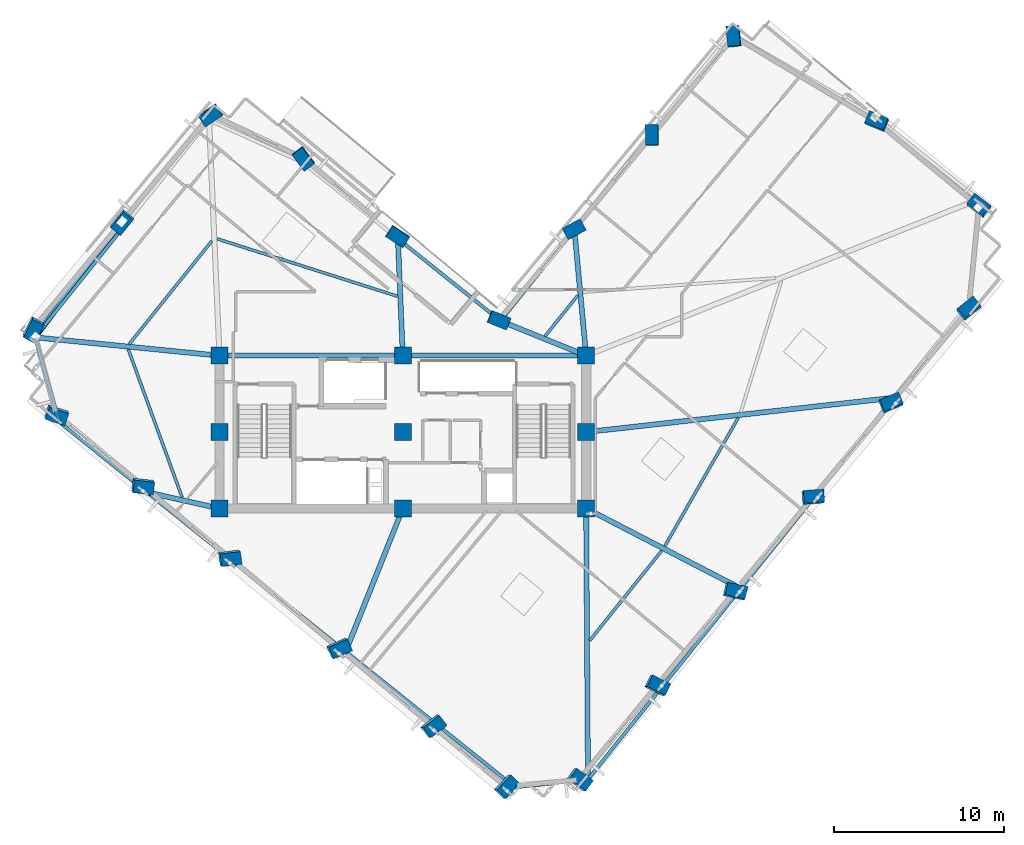
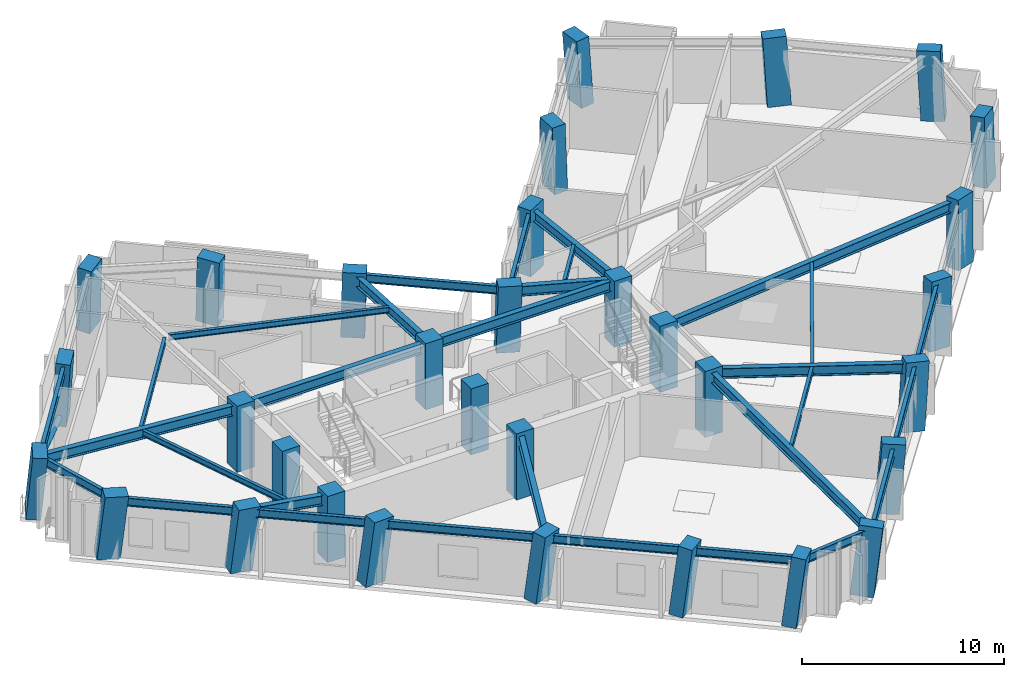
# One storey, part 1 of 10: 32 columns, 30 beams, 1 member.
"""IFC4 building model written with IfcOpenShell, lengths in metres."""

from ifc_helpers import new_model, si_unit, direction, frame, origin, origin_2d, place, context, subcontext, project, spatial, rectangle, hollow_circle, i_section, extrude, material, material_profile, profile_set, type_object, element, save


model = new_model("IFC4")

# Units and contexts
model_context = context("Model", 3, precision=1e-05, world=origin(), true_north=direction((0.0, 1.0)))
body_context = subcontext(model_context, "Body", "Model", "MODEL_VIEW")
ifc_project = project(units=[si_unit("LENGTHUNIT", "METRE"), si_unit("AREAUNIT", "SQUARE_METRE"), si_unit("VOLUMEUNIT", "CUBIC_METRE"), si_unit("PLANEANGLEUNIT", "RADIAN"), si_unit("MASSUNIT", "GRAM", prefix="KILO")], contexts=[model_context])

# Site, building, storey
site_placement = place(None, origin())
site = spatial("IfcSite", under=ifc_project, at=site_placement, CompositionType="ELEMENT")
building_placement = place(site_placement, origin())
building = spatial("IfcBuilding", under=site, at=building_placement, Name="Gaonmaruhae Medical Tower", CompositionType="ELEMENT")
storey_placement = place(building_placement, frame((0.0, 0.0, 239.199951171875)))
storey = spatial("IfcBuildingStorey", under=building, at=storey_placement, Name="L57", CompositionType="ELEMENT", Elevation=239.199951171875)

# Columns
ifc_material_1 = material(Name="Concrete C50/60", Category="concrete")
ifc_material_profile_1 = material_profile(ifc_material_1, rectangle(XDim=1.0, YDim=1.0, at=origin_2d()), Name="RC-1000x1000")
ifc_profile_set_1 = profile_set([ifc_material_profile_1], Name="Concrete C50/60")
column_type_1 = type_object("IfcColumnType", Name="CC-05 Zone 4 Core Column (RC-1000x1000)", PredefinedType="COLUMN", material=ifc_profile_set_1)
for number, where, z_axis, x_axis, name in (
    (1, (14.0, 7.800048828125, 0.0), (0.0, 0.0, 1.0), (1.0, 0.0, 0.0), "L57 Plumb Core Column CC11"),
    (2, (14.0, 12.300048828125, 0.0), (0.0, 0.0, 1.0), (1.0, 0.0, 0.0), "L57 Plumb Core Column CC12"),
    (3, (14.0, 16.800048828125, 0.0), (0.0, 0.0, 1.0), (1.0, 0.0, 0.0), "L57 Plumb Core Column CC13"),
    (4, (24.800048828125, 7.800048828125, 0.0), (0.0, 0.0, 1.0), (1.0, 0.0, 0.0), "L57 Plumb Core Column CC21"),
    (5, (24.800048828125, 12.300048828125, 0.0), (0.0, 0.0, 1.0), (1.0, 0.0, 0.0), "L57 Plumb Core Column CC22"),
    (6, (24.800048828125, 16.800048828125, 0.0), (0.0, 0.0, 1.0), (1.0, 0.0, 0.0), "L57 Plumb Core Column CC23"),
    (7, (35.60009765625, 7.800048828125, 0.0), (0.0, 0.0, 1.0), (1.0, 0.0, 0.0), "L57 Plumb Core Column CC31"),
    (8, (35.60009765625, 12.300048828125, 0.0), (0.0, 0.0, 1.0), (1.0, 0.0, 0.0), "L57 Plumb Core Column CC32"),
    (9, (35.60009765625, 16.800048828125, 0.0), (0.0, 0.0, 1.0), (1.0, 0.0, 0.0), "L57 Plumb Core Column CC33"),
):
    element("IfcColumn", number, at=place(storey_placement, frame(where, z_axis=z_axis, x_axis=x_axis)), inside=storey, type_object=column_type_1, Name=name, PredefinedType="COLUMN", context=body_context, shape_type="SweptSolid", body=[
        extrude(rectangle(XDim=1.0, YDim=1.0, at=origin_2d()), origin(), (0.0, 0.0, 1.0), 4.0),
    ])
ifc_material_profile_2 = material_profile(ifc_material_1, rectangle(XDim=1.199951171875, YDim=0.75, at=origin_2d()), Name="RC-1200x750")
ifc_profile_set_2 = profile_set([ifc_material_profile_2], Name="Concrete C50/60")
column_type_2 = type_object("IfcColumnType", Name="TC-03 Upper Raking Tube Pier Column (RC-1200x750)", PredefinedType="COLUMN", material=ifc_profile_set_2)
column_1_placement = place(storey_placement, frame((35.162353515625, -8.1845703125, 0.001953125), z_axis=(0.135398337875, 0.007565843645, 0.990762357031), x_axis=(-0.797256199338, 0.594542157134, 0.104413485752)))
element("IfcColumn", 10, at=column_1_placement, inside=storey, type_object=column_type_2, Name="L57 Perimeter Tube Column S01", PredefinedType="COLUMN", context=body_context, shape_type="SweptSolid", body=[
    extrude(rectangle(XDim=1.199951171875, YDim=0.75, at=origin_2d()), origin(), (0.0, 0.0, 1.0), 4.03369140625),
])
column_2_placement = place(storey_placement, frame((39.756591796875, -2.640869140625, 0.001953125), z_axis=(0.112744085463, 0.026274590423, 0.993276606536), x_axis=(-0.889646698145, 0.447865881438, 0.089134195033)))
element("IfcColumn", 11, at=column_2_placement, inside=storey, type_object=column_type_2, Name="L57 Perimeter Tube Column S02", PredefinedType="COLUMN", context=body_context, shape_type="SweptSolid", body=[
    extrude(rectangle(XDim=1.199951171875, YDim=0.75, at=origin_2d()), origin(), (0.0, 0.0, 1.0), 4.0234375),
])
column_3_placement = place(storey_placement, frame((44.350830078125, 2.90283203125, 0.001953125), z_axis=(0.08989558283, 0.045099744733, 0.994929543844), x_axis=(-0.970851013933, 0.226829626855, 0.077437904972)))
element("IfcColumn", 12, at=column_3_placement, inside=storey, type_object=column_type_2, Name="L57 Perimeter Tube Column S03", PredefinedType="COLUMN", context=body_context, shape_type="SweptSolid", body=[
    extrude(rectangle(XDim=1.199951171875, YDim=0.75, at=origin_2d()), origin(), (0.0, 0.0, 1.0), 4.0166015625),
])
column_4_placement = place(storey_placement, frame((48.945068359375, 8.446533203125, 0.001953125), z_axis=(0.066972368629, 0.063930934995, 0.995704543221), x_axis=(-0.995148525674, -0.067803912025, 0.071288437797)))
element("IfcColumn", 13, at=column_4_placement, inside=storey, type_object=column_type_2, Name="L57 Perimeter Tube Column S04", PredefinedType="COLUMN", context=body_context, shape_type="SweptSolid", body=[
    extrude(rectangle(XDim=1.199951171875, YDim=0.75, at=origin_2d()), origin(), (0.0, 0.0, 1.0), 4.013671875),
])
column_5_placement = place(storey_placement, frame((53.539306640625, 13.990234375, 0.001953125), z_axis=(0.043914128946, 0.082658311964, 0.995609940058), x_axis=(-0.923162897241, -0.377593091965, 0.072067482668)))
element("IfcColumn", 14, at=column_5_placement, inside=storey, type_object=column_type_2, Name="L57 Perimeter Tube Column S05", PredefinedType="COLUMN", context=body_context, shape_type="SweptSolid", body=[
    extrude(rectangle(XDim=1.199951171875, YDim=0.75, at=origin_2d()), origin(), (0.0, 0.0, 1.0), 4.013916015625),
])
column_6_placement = place(storey_placement, frame((58.133544921875, 19.533935546875, 0.001953125), z_axis=(0.020841764448, 0.101352953642, 0.994632193146), x_axis=(-0.779271158589, -0.621602053987, 0.079670244575)))
element("IfcColumn", 15, at=column_6_placement, inside=storey, type_object=column_type_2, Name="L57 Perimeter Tube Column S06", PredefinedType="COLUMN", context=body_context, shape_type="SweptSolid", body=[
    extrude(rectangle(XDim=1.199951171875, YDim=0.75, at=origin_2d()), origin(), (0.0, 0.0, 1.0), 4.017822265625),
])
column_7_placement = place(storey_placement, frame((58.738037109375, 25.591796875, 0.001953125), z_axis=(-0.00413180517, 0.103598938464, 0.994610571096), x_axis=(0.794636797122, -0.60346946511, 0.066158637682)))
element("IfcColumn", 16, at=column_7_placement, inside=storey, type_object=column_type_2, Name="L57 Perimeter Tube Column E01", PredefinedType="COLUMN", context=body_context, shape_type="SweptSolid", body=[
    extrude(rectangle(XDim=1.199951171875, YDim=0.75, at=origin_2d()), origin(), (0.0, 0.0, 1.0), 4.01806640625),
])
column_8_placement = place(storey_placement, frame((52.732177734375, 30.56884765625, 0.001953125), z_axis=(-0.024474787639, 0.07884291043, 0.996586564351), x_axis=(0.923871255264, -0.379060645823, 0.052677608953)))
element("IfcColumn", 17, at=column_8_placement, inside=storey, type_object=column_type_2, Name="L57 Perimeter Tube Column E02", PredefinedType="COLUMN", context=body_context, shape_type="SweptSolid", body=[
    extrude(rectangle(XDim=1.199951171875, YDim=0.75, at=origin_2d()), origin(), (0.0, 0.0, 1.0), 4.010009765625),
])
column_9_placement = place(storey_placement, frame((44.306396484375, 35.603515625, 0.001953125), z_axis=(-0.045056898125, 0.043898466373, 0.99801943898), x_axis=(0.105104119877, -0.993281009767, 0.048435107314)))
element("IfcColumn", 18, at=column_9_placement, inside=storey, type_object=column_type_2, Name="L57 Perimeter Tube Column E03", PredefinedType="COLUMN", context=body_context, shape_type="SweptSolid", body=[
    extrude(rectangle(XDim=1.199951171875, YDim=0.75, at=origin_2d()), origin(), (0.0, 0.0, 1.0), 4.004150390625),
])
column_10_placement = place(storey_placement, frame((39.489013671875, 29.790283203125, 0.001953125), z_axis=(-0.020882454889, 0.024240744418, 0.999488023634), x_axis=(0.018828733053, -0.999519184868, 0.024634891753)))
element("IfcColumn", 19, at=column_10_placement, inside=storey, type_object=column_type_2, Name="L57 Perimeter Tube Column EN01", PredefinedType="COLUMN", context=body_context, shape_type="SweptSolid", body=[
    extrude(rectangle(XDim=1.199951171875, YDim=0.75, at=origin_2d()), origin(), (0.0, 0.0, 1.0), 3.998291015625),
])
column_11_placement = place(storey_placement, frame((34.894775390625, 24.24658203125, 0.001953125), z_axis=(0.002199242026, 0.005375924953, 0.99998313124), x_axis=(-0.882113921896, -0.47101489174, 0.004472198159)))
element("IfcColumn", 20, at=column_11_placement, inside=storey, type_object=column_type_2, Name="L57 Perimeter Tube Column EN02", PredefinedType="COLUMN", context=body_context, shape_type="SweptSolid", body=[
    extrude(rectangle(XDim=1.199951171875, YDim=0.75, at=origin_2d()), origin(), (0.0, 0.0, 1.0), 3.996337890625),
])
column_12_placement = place(storey_placement, frame((30.4599609375, 18.895263671875, 0.001953125), z_axis=(0.024549214527, -0.012763148846, 0.99961714576), x_axis=(-0.926059407811, 0.376370916509, 0.027548256063)))
element("IfcColumn", 21, at=column_12_placement, inside=storey, type_object=column_type_2, Name="L57 Perimeter Tube Column KN01", PredefinedType="COLUMN", context=body_context, shape_type="SweptSolid", body=[
    extrude(rectangle(XDim=1.199951171875, YDim=0.75, at=origin_2d()), origin(), (0.0, 0.0, 1.0), 3.997802734375),
])
column_13_placement = place(storey_placement, frame((24.49267578125, 23.840576171875, 0.001953125), z_axis=(0.004334338467, -0.037727058766, 0.999278681123), x_axis=(-0.837702316434, 0.5455892657, 0.024231842548)))
element("IfcColumn", 22, at=column_13_placement, inside=storey, type_object=column_type_2, Name="L57 Perimeter Tube Column NE01", PredefinedType="COLUMN", context=body_context, shape_type="SweptSolid", body=[
    extrude(rectangle(XDim=1.199951171875, YDim=0.75, at=origin_2d()), origin(), (0.0, 0.0, 1.0), 3.999267578125),
])
column_14_placement = place(storey_placement, frame((18.948974609375, 28.434814453125, 0.001953125), z_axis=(-0.014511309746, -0.060728002132, 0.998048862354), x_axis=(-0.600860987721, 0.79836003593, 0.039841265851)))
element("IfcColumn", 23, at=column_14_placement, inside=storey, type_object=column_type_2, Name="L57 Perimeter Tube Column NE02", PredefinedType="COLUMN", context=body_context, shape_type="SweptSolid", body=[
    extrude(rectangle(XDim=1.199951171875, YDim=0.75, at=origin_2d()), origin(), (0.0, 0.0, 1.0), 4.004150390625),
])
column_15_placement = place(storey_placement, frame((13.487548828125, 31.0126953125, 0.001953125), z_axis=(-0.0249525593, -0.0832563442, 0.996215715061), x_axis=(0.831445492483, 0.551561404169, 0.066920926924)))
element("IfcColumn", 24, at=column_15_placement, inside=storey, type_object=column_type_2, Name="L57 Perimeter Tube Column N01", PredefinedType="COLUMN", context=body_context, shape_type="SweptSolid", body=[
    extrude(rectangle(XDim=1.199951171875, YDim=0.75, at=origin_2d()), origin(), (0.0, 0.0, 1.0), 4.011474609375),
])
column_16_placement = place(storey_placement, frame((8.25537109375, 24.698974609375, 0.001953125), z_axis=(0.00127588751, -0.104501262691, 0.994523935462), x_axis=(0.628700133553, 0.773473420761, 0.080467443393)))
element("IfcColumn", 25, at=column_16_placement, inside=storey, type_object=column_type_2, Name="L57 Perimeter Tube Column N02", PredefinedType="COLUMN", context=body_context, shape_type="SweptSolid", body=[
    extrude(rectangle(XDim=1.199951171875, YDim=0.75, at=origin_2d()), origin(), (0.0, 0.0, 1.0), 4.018310546875),
])
column_17_placement = place(storey_placement, frame((3.02294921875, 18.38525390625, 0.001953125), z_axis=(0.027384510787, -0.125471950975, 0.991719152829), x_axis=(0.460600571908, 0.882082445773, 0.098882111717)))
element("IfcColumn", 26, at=column_17_placement, inside=storey, type_object=column_type_2, Name="L57 Perimeter Tube Column N03", PredefinedType="COLUMN", context=body_context, shape_type="SweptSolid", body=[
    extrude(rectangle(XDim=1.199951171875, YDim=0.75, at=origin_2d()), origin(), (0.0, 0.0, 1.0), 4.02978515625),
])
column_18_placement = place(storey_placement, frame((4.381103515625, 13.363525390625, 0.001953125), z_axis=(0.047980089442, -0.119707899921, 0.991649096058), x_axis=(-0.950100984015, 0.300892165283, 0.082292314615)))
element("IfcColumn", 27, at=column_18_placement, inside=storey, type_object=column_type_2, Name="L57 Perimeter Tube Column W01", PredefinedType="COLUMN", context=body_context, shape_type="SweptSolid", body=[
    extrude(rectangle(XDim=1.199951171875, YDim=0.75, at=origin_2d()), origin(), (0.0, 0.0, 1.0), 4.030029296875),
])
column_19_placement = place(storey_placement, frame((9.462646484375, 9.152099609375, 0.001953125), z_axis=(0.065271416509, -0.098817042281, 0.992962655059), x_axis=(-0.991668252053, 0.104324002795, 0.075568381683)))
element("IfcColumn", 28, at=column_19_placement, inside=storey, type_object=column_type_2, Name="L57 Perimeter Tube Column W02", PredefinedType="COLUMN", context=body_context, shape_type="SweptSolid", body=[
    extrude(rectangle(XDim=1.199951171875, YDim=0.75, at=origin_2d()), origin(), (0.0, 0.0, 1.0), 4.024658203125),
])
column_20_placement = place(storey_placement, frame((14.5830078125, 4.908935546875, 0.001953125), z_axis=(0.082548323261, -0.077692539539, 0.993554046656), x_axis=(-0.989367558759, -0.126172883682, 0.072334204215)))
element("IfcColumn", 29, at=column_20_placement, inside=storey, type_object=column_type_2, Name="L57 Perimeter Tube Column W03", PredefinedType="COLUMN", context=body_context, shape_type="SweptSolid", body=[
    extrude(rectangle(XDim=1.199951171875, YDim=0.75, at=origin_2d()), origin(), (0.0, 0.0, 1.0), 4.022216796875),
])
column_21_placement = place(storey_placement, frame((21.01220703125, -0.419189453125, 0.001953125), z_axis=(0.104245483823, -0.050969852393, 0.993244659311), x_axis=(-0.907573102334, -0.413314100138, 0.074044031138)))
element("IfcColumn", 30, at=column_21_placement, inside=storey, type_object=column_type_2, Name="L57 Perimeter Tube Column W04", PredefinedType="COLUMN", context=body_context, shape_type="SweptSolid", body=[
    extrude(rectangle(XDim=1.199951171875, YDim=0.75, at=origin_2d()), origin(), (0.0, 0.0, 1.0), 4.0234375),
])
column_22_placement = place(storey_placement, frame((26.555908203125, -5.013427734375, 0.001953125), z_axis=(0.122845008012, -0.027938603203, 0.992032528931), x_axis=(-0.788000697544, -0.610403612516, 0.080388621697)))
element("IfcColumn", 31, at=column_22_placement, inside=storey, type_object=column_type_2, Name="L57 Perimeter Tube Column W05", PredefinedType="COLUMN", context=body_context, shape_type="SweptSolid", body=[
    extrude(rectangle(XDim=1.199951171875, YDim=0.75, at=origin_2d()), origin(), (0.0, 0.0, 1.0), 4.0283203125),
])
column_23_placement = place(storey_placement, frame((30.86767578125, -8.586669921875, 0.001953125), z_axis=(0.137177111683, -0.01010523937, 0.990494989471), x_axis=(-0.686889162791, -0.721442871066, 0.087769367254)))
element("IfcColumn", 32, at=column_23_placement, inside=storey, type_object=column_type_2, Name="L57 Perimeter Tube Column W06", PredefinedType="COLUMN", context=body_context, shape_type="SweptSolid", body=[
    extrude(rectangle(XDim=1.199951171875, YDim=0.75, at=origin_2d()), origin(), (0.0, 0.0, 1.0), 4.03466796875),
])

# Beams
ifc_material_2 = material(Name="Steel SM355", Category="steel")
ifc_material_profile_3 = material_profile(ifc_material_2, i_section(OverallWidth=0.175048828125, OverallDepth=0.35009765625, WebThickness=0.007080078125, FlangeThickness=0.010986328125, FilletRadius=0.012939453125, at=origin_2d()), Name="H-350x175x7x11")
ifc_profile_set_3 = profile_set([ifc_material_profile_3], Name="Steel SM355")
beam_type_1 = type_object("IfcBeamType", Name="FJ-02 Upper Zone Ward Floor Joist (H-350x175x7x11)", PredefinedType="JOIST", material=ifc_profile_set_3)
beam_1_placement = place(storey_placement, frame((35.806884765625, 0.01318359375, 3.60498046875), z_axis=(0.625233676657, 0.780437601333, 0.0), x_axis=(-0.780437601333, 0.625233676657, 0.0)))
element("IfcBeam", 33, at=beam_1_placement, inside=storey, type_object=beam_type_1, Name="L57 Secondary Floor Joist FJ01", PredefinedType="JOIST", context=body_context, shape_type="SweptSolid", body=[
    extrude(i_section(OverallWidth=0.175048828125, OverallDepth=0.35009765625, WebThickness=0.007080078125, FlangeThickness=0.010986328125, FilletRadius=0.012939453125, at=origin_2d()), origin(), (0.0, 0.0, 1.0), 6.797119140625),
])
beam_2_placement = place(storey_placement, frame((40.233642578125, 5.57763671875, 3.60498046875), z_axis=(0.496573159158, 0.867994871876, 0.0), x_axis=(-0.867994871876, 0.496573159158, 0.0)))
element("IfcBeam", 34, at=beam_2_placement, inside=storey, type_object=beam_type_1, Name="L57 Secondary Floor Joist FJ02", PredefinedType="JOIST", context=body_context, shape_type="SweptSolid", body=[
    extrude(i_section(OverallWidth=0.175048828125, OverallDepth=0.35009765625, WebThickness=0.007080078125, FlangeThickness=0.010986328125, FilletRadius=0.012939453125, at=origin_2d()), origin(), (0.0, 0.0, 1.0), 8.718017578125),
])
beam_3_placement = place(storey_placement, frame((35.11328125, 20.36083984375, 3.60498046875), z_axis=(-0.625311386332, -0.780375339259, 0.0), x_axis=(0.780375339259, -0.625311386332, 0.0)))
element("IfcBeam", 35, at=beam_3_placement, inside=storey, type_object=beam_type_1, Name="L57 Secondary Floor Joist FJ05", PredefinedType="JOIST", context=body_context, shape_type="SweptSolid", body=[
    extrude(i_section(OverallWidth=0.175048828125, OverallDepth=0.35009765625, WebThickness=0.007080078125, FlangeThickness=0.010986328125, FilletRadius=0.012939453125, at=origin_2d()), origin(), (0.0, 0.0, 1.0), 3.090576171875),
])
beam_4_placement = place(storey_placement, frame((24.4970703125, 20.295166015625, 3.60498046875), z_axis=(-0.95275517344, 0.303739328181, 0.0), x_axis=(-0.303739328181, -0.95275517344, 0.0)))
element("IfcBeam", 36, at=beam_4_placement, inside=storey, type_object=beam_type_1, Name="L57 Secondary Floor Joist FJ07", PredefinedType="JOIST", context=body_context, shape_type="SweptSolid", body=[
    extrude(i_section(OverallWidth=0.175048828125, OverallDepth=0.35009765625, WebThickness=0.007080078125, FlangeThickness=0.010986328125, FilletRadius=0.012939453125, at=origin_2d()), origin(), (0.0, 0.0, 1.0), 11.17333984375),
])
beam_5_placement = place(storey_placement, frame((13.547607421875, 23.556884765625, 3.60498046875), z_axis=(-0.625245871949, -0.780427831135, 0.0), x_axis=(0.780427831135, -0.625245871949, 0.0)))
element("IfcBeam", 37, at=beam_5_placement, inside=storey, type_object=beam_type_1, Name="L57 Secondary Floor Joist FJ08", PredefinedType="JOIST", context=body_context, shape_type="SweptSolid", body=[
    extrude(i_section(OverallWidth=0.175048828125, OverallDepth=0.35009765625, WebThickness=0.007080078125, FlangeThickness=0.010986328125, FilletRadius=0.012939453125, at=origin_2d()), origin(), (0.0, 0.0, 1.0), 7.78125),
])
beam_6_placement = place(storey_placement, frame((8.625732421875, 17.177734375, 3.60498046875), z_axis=(0.341774724034, -0.939781909813, 0.0), x_axis=(0.939781909813, 0.341774724034, 0.0)))
element("IfcBeam", 38, at=beam_6_placement, inside=storey, type_object=beam_type_1, Name="L57 Secondary Floor Joist FJ09", PredefinedType="JOIST", context=body_context, shape_type="SweptSolid", body=[
    extrude(i_section(OverallWidth=0.175048828125, OverallDepth=0.35009765625, WebThickness=0.007080078125, FlangeThickness=0.010986328125, FilletRadius=0.012939453125, at=origin_2d()), origin(), (0.0, 0.0, 1.0), 9.287109375),
])

# Member
ifc_material_profile_4 = material_profile(ifc_material_2, hollow_circle(Radius=0.1591796875, WallThickness=0.01025390625, at=origin_2d()), Name="CHS-318.5x10.3")
ifc_profile_set_4 = profile_set([ifc_material_profile_4], Name="Steel SM355")
member_type = type_object("IfcMemberType", Name="PB-03 Perimeter Solid-Bay Tube Brace Upper (CHS-318.5x10.3)", PredefinedType="BRACE", material=ifc_profile_set_4)
member_placement = place(storey_placement, frame((8.25537109375, 24.69921875, 0.25), z_axis=(-0.560502019622, -0.746320769156, 0.358946786483), x_axis=(0.799608240849, -0.600521990577, 0.0)))
element("IfcMember", 39, at=member_placement, inside=storey, type_object=member_type, Name="L57 Perimeter Tube Solid-Bay Brace N02-N03", PredefinedType="BRACE", context=body_context, shape_type="SweptSolid", body=[
    extrude(hollow_circle(Radius=0.1591796875, WallThickness=0.01025390625, at=origin_2d()), origin(), (0.0, 0.0, 1.0), 9.137939453125),
])

# Beams
ifc_material_3 = material(Name="Steel SM420", Category="steel")
ifc_material_profile_5 = material_profile(ifc_material_3, i_section(OverallWidth=0.300048828125, OverallDepth=0.60009765625, WebThickness=0.011962890625, FlangeThickness=0.02001953125, FilletRadius=0.012939453125, at=origin_2d()), Name="H-600x300x12x20")
ifc_profile_set_5 = profile_set([ifc_material_profile_5], Name="Steel SM420")
beam_type_2 = type_object("IfcBeamType", Name="PG-04 Zone 4 Radial Floor Girder (H-600x300x12x20)", PredefinedType="BEAM", material=ifc_profile_set_5)
for number, where, z_axis, x_axis, name in (
    (40, (14.050048828125, 16.800048828125, 3.47998046875), (1.0, 0.0, 0.0), (0.0, 1.0, 0.0), "L57 Beam BM-L57-CG-N1"),
    (41, (24.85009765625, 16.800048828125, 3.47998046875), (1.0, 0.0, 0.0), (0.0, 1.0, 0.0), "L57 Beam BM-L57-CG-N2"),
):
    element("IfcBeam", number, at=place(storey_placement, frame(where, z_axis=z_axis, x_axis=x_axis)), inside=storey, type_object=beam_type_2, Name=name, PredefinedType="BEAM", context=body_context, shape_type="SweptSolid", body=[
        extrude(i_section(OverallWidth=0.300048828125, OverallDepth=0.60009765625, WebThickness=0.011962890625, FlangeThickness=0.02001953125, FilletRadius=0.012939453125, at=origin_2d()), origin(), (0.0, 0.0, 1.0), 10.699951171875),
    ])
beam_7_placement = place(storey_placement, frame((35.600341796875, 7.75, 3.47998046875), z_axis=(0.006806229879, -0.999976837349, 0.0), x_axis=(0.999976837349, 0.006806229879, 0.0)))
element("IfcBeam", 42, at=beam_7_placement, inside=storey, type_object=beam_type_2, Name="L57 Radial Primary Girder S01", PredefinedType="BEAM", context=body_context, shape_type="SweptSolid", body=[
    extrude(i_section(OverallWidth=0.300048828125, OverallDepth=0.60009765625, WebThickness=0.011962890625, FlangeThickness=0.02001953125, FilletRadius=0.012939453125, at=origin_2d()), origin(), (0.0, 0.0, 1.0), 15.854736328125),
])
beam_8_placement = place(storey_placement, frame((35.644287109375, 7.777099609375, 3.47998046875), z_axis=(0.888102317796, -0.459645812693, 0.0), x_axis=(0.459645812693, 0.888102317796, 0.0)))
element("IfcBeam", 43, at=beam_8_placement, inside=storey, type_object=beam_type_2, Name="L57 Radial Primary Girder S03", PredefinedType="BEAM", context=body_context, shape_type="SweptSolid", body=[
    extrude(i_section(OverallWidth=0.300048828125, OverallDepth=0.60009765625, WebThickness=0.011962890625, FlangeThickness=0.02001953125, FilletRadius=0.012939453125, at=origin_2d()), origin(), (0.0, 0.0, 1.0), 10.160400390625),
])
beam_9_placement = place(storey_placement, frame((35.649658203125, 12.3056640625, 3.47998046875), z_axis=(0.993828097062, 0.110931120476, 0.0), x_axis=(-0.110931120476, 0.993828097062, 0.0)))
element("IfcBeam", 44, at=beam_9_placement, inside=storey, type_object=beam_type_2, Name="L57 Radial Primary Girder S05", PredefinedType="BEAM", context=body_context, shape_type="SweptSolid", body=[
    extrude(i_section(OverallWidth=0.300048828125, OverallDepth=0.60009765625, WebThickness=0.011962890625, FlangeThickness=0.02001953125, FilletRadius=0.012939453125, at=origin_2d()), origin(), (0.0, 0.0, 1.0), 18.128173828125),
])
beam_10_placement = place(storey_placement, frame((35.595458984375, 16.849853515625, 3.47998046875), z_axis=(-0.092867529309, 0.995678473203, 0.0), x_axis=(-0.995678473203, -0.092867529309, 0.0)))
element("IfcBeam", 45, at=beam_10_placement, inside=storey, type_object=beam_type_2, Name="L57 Radial Primary Girder EN02", PredefinedType="BEAM", context=body_context, shape_type="SweptSolid", body=[
    extrude(i_section(OverallWidth=0.300048828125, OverallDepth=0.60009765625, WebThickness=0.011962890625, FlangeThickness=0.02001953125, FilletRadius=0.012939453125, at=origin_2d()), origin(), (0.0, 0.0, 1.0), 7.400390625),
])
beam_11_placement = place(storey_placement, frame((35.5537109375, 16.81884765625, 3.47998046875), z_axis=(-0.926745290853, 0.375690252577, 0.0), x_axis=(-0.375690252577, -0.926745290853, 0.0)))
element("IfcBeam", 46, at=beam_11_placement, inside=storey, type_object=beam_type_2, Name="L57 Radial Primary Girder KN01", PredefinedType="BEAM", context=body_context, shape_type="SweptSolid", body=[
    extrude(i_section(OverallWidth=0.300048828125, OverallDepth=0.60009765625, WebThickness=0.011962890625, FlangeThickness=0.02001953125, FilletRadius=0.012939453125, at=origin_2d()), origin(), (0.0, 0.0, 1.0), 5.34033203125),
])
beam_12_placement = place(storey_placement, frame((24.7978515625, 16.849853515625, 3.4599609375), z_axis=(-0.042066857056, 0.999114797977, 0.0), x_axis=(-0.999114797977, -0.042066857056, 0.0)))
element("IfcBeam", 47, at=beam_12_placement, inside=storey, type_object=beam_type_2, Name="L57 Radial Primary Girder NE01", PredefinedType="BEAM", context=body_context, shape_type="SweptSolid", body=[
    extrude(i_section(OverallWidth=0.300048828125, OverallDepth=0.60009765625, WebThickness=0.011962890625, FlangeThickness=0.02001953125, FilletRadius=0.012939453125, at=origin_2d()), origin(), (0.0, 0.0, 1.0), 6.796142578125),
])
beam_13_placement = place(storey_placement, frame((13.9501953125, 16.804931640625, 3.47998046875), z_axis=(-0.995102209909, 0.098851362333, 0.0), x_axis=(-0.098851362333, -0.995102209909, 0.0)))
element("IfcBeam", 48, at=beam_13_placement, inside=storey, type_object=beam_type_2, Name="L57 Radial Primary Girder N03", PredefinedType="BEAM", context=body_context, shape_type="SweptSolid", body=[
    extrude(i_section(OverallWidth=0.300048828125, OverallDepth=0.60009765625, WebThickness=0.011962890625, FlangeThickness=0.02001953125, FilletRadius=0.012939453125, at=origin_2d()), origin(), (0.0, 0.0, 1.0), 10.820068359375),
])
beam_14_placement = place(storey_placement, frame((13.951171875, 7.810791015625, 3.47998046875), z_axis=(-0.97596913075, 0.217908824564, 0.0), x_axis=(-0.217908824564, -0.97596913075, 0.0)))
element("IfcBeam", 49, at=beam_14_placement, inside=storey, type_object=beam_type_2, Name="L57 Radial Primary Girder W02", PredefinedType="BEAM", context=body_context, shape_type="SweptSolid", body=[
    extrude(i_section(OverallWidth=0.300048828125, OverallDepth=0.60009765625, WebThickness=0.011962890625, FlangeThickness=0.02001953125, FilletRadius=0.012939453125, at=origin_2d()), origin(), (0.0, 0.0, 1.0), 4.27978515625),
])
beam_15_placement = place(storey_placement, frame((24.781494140625, 7.753662109375, 3.47998046875), z_axis=(-0.371240552492, -0.928536726352, 0.0), x_axis=(0.928536726352, -0.371240552492, 0.0)))
element("IfcBeam", 50, at=beam_15_placement, inside=storey, type_object=beam_type_2, Name="L57 Radial Primary Girder W04", PredefinedType="BEAM", context=body_context, shape_type="SweptSolid", body=[
    extrude(i_section(OverallWidth=0.300048828125, OverallDepth=0.60009765625, WebThickness=0.011962890625, FlangeThickness=0.02001953125, FilletRadius=0.012939453125, at=origin_2d()), origin(), (0.0, 0.0, 1.0), 8.97265625),
])
ifc_material_profile_6 = material_profile(ifc_material_2, i_section(OverallWidth=0.199951171875, OverallDepth=0.5, WebThickness=0.010009765625, FlangeThickness=0.01611328125, FilletRadius=0.012939453125, at=origin_2d()), Name="H-500x200x10x16")
ifc_profile_set_6 = profile_set([ifc_material_profile_6], Name="Steel SM355")
beam_type_3 = type_object("IfcBeamType", Name="SP-02 Upper Perimeter Spandrel Beam (H-500x200x10x16)", PredefinedType="SPANDREL", material=ifc_profile_set_6)
for number, where, z_axis, x_axis, name in (
    (51, (35.733642578125, -8.123046875, 3.530029296875), (0.625221781871, 0.78044713048, 0.0), (-0.78044713048, 0.625221781871, 0.0), "L57 Perimeter Spandrel Beam S01-S02"),
    (52, (40.2353515625, -2.50390625, 3.530029296875), (0.62525939787, 0.780416994545, 0.0), (-0.780416994545, 0.62525939787, 0.0), "L57 Perimeter Spandrel Beam S02-S03"),
    (53, (44.737060546875, 3.115234375, 3.530029296875), (0.62525939787, 0.780416994545, 0.0), (-0.780416994545, 0.62525939787, 0.0), "L57 Perimeter Spandrel Beam S03-S04"),
):
    element("IfcBeam", number, at=place(storey_placement, frame(where, z_axis=z_axis, x_axis=x_axis)), inside=storey, type_object=beam_type_3, Name=name, PredefinedType="SPANDREL", context=body_context, shape_type="SweptSolid", body=[
        extrude(i_section(OverallWidth=0.199951171875, OverallDepth=0.5, WebThickness=0.010009765625, FlangeThickness=0.01611328125, FilletRadius=0.012939453125, at=origin_2d()), origin(), (0.0, 0.0, 1.0), 7.1201171875),
    ])
beam_16_placement = place(storey_placement, frame((34.878662109375, 24.23681640625, 3.530029296875), z_axis=(-0.625240953752, -0.780431771362, 0.0), x_axis=(0.780431771362, -0.625240953752, 0.0)))
element("IfcBeam", 54, at=beam_16_placement, inside=storey, type_object=beam_type_3, Name="L57 Perimeter Spandrel Beam EN02-KN01", PredefinedType="SPANDREL", context=body_context, shape_type="SweptSolid", body=[
    extrude(i_section(OverallWidth=0.199951171875, OverallDepth=0.5, WebThickness=0.010009765625, FlangeThickness=0.01611328125, FilletRadius=0.012939453125, at=origin_2d()), origin(), (0.0, 0.0, 1.0), 6.8701171875),
])
beam_17_placement = place(storey_placement, frame((30.527099609375, 18.869140625, 3.510009765625), z_axis=(-0.780436978725, 0.625234453816, 0.0), x_axis=(-0.625234453816, -0.780436978725, 0.0)))
element("IfcBeam", 55, at=beam_17_placement, inside=storey, type_object=beam_type_3, Name="L57 Perimeter Spandrel Beam KN01-NE01", PredefinedType="SPANDREL", context=body_context, shape_type="SweptSolid", body=[
    extrude(i_section(OverallWidth=0.199951171875, OverallDepth=0.5, WebThickness=0.010009765625, FlangeThickness=0.01611328125, FilletRadius=0.012939453125, at=origin_2d()), origin(), (0.0, 0.0, 1.0), 7.670166015625),
])
beam_18_placement = place(storey_placement, frame((8.2353515625, 24.247802734375, 3.530029296875), z_axis=(-0.625233896636, -0.780437425101, 0.0), x_axis=(0.780437425101, -0.625233896636, 0.0)))
element("IfcBeam", 56, at=beam_18_placement, inside=storey, type_object=beam_type_3, Name="L57 Perimeter Spandrel Beam N02-N03", PredefinedType="SPANDREL", context=body_context, shape_type="SweptSolid", body=[
    extrude(i_section(OverallWidth=0.199951171875, OverallDepth=0.5, WebThickness=0.010009765625, FlangeThickness=0.01611328125, FilletRadius=0.012939453125, at=origin_2d()), origin(), (0.0, 0.0, 1.0), 8.1201171875),
])
beam_19_placement = place(storey_placement, frame((3.14453125, 17.841064453125, 3.530029296875), z_axis=(0.277011722433, -0.96086653893, 0.0), x_axis=(0.96086653893, 0.277011722433, 0.0)))
element("IfcBeam", 57, at=beam_19_placement, inside=storey, type_object=beam_type_3, Name="L57 Perimeter Spandrel Beam N03-W01", PredefinedType="SPANDREL", context=body_context, shape_type="SweptSolid", body=[
    extrude(i_section(OverallWidth=0.199951171875, OverallDepth=0.5, WebThickness=0.010009765625, FlangeThickness=0.01611328125, FilletRadius=0.012939453125, at=origin_2d()), origin(), (0.0, 0.0, 1.0), 5.122314453125),
])
beam_20_placement = place(storey_placement, frame((4.605712890625, 12.85595703125, 3.530029296875), z_axis=(0.780422927174, -0.625251992993, 0.0), x_axis=(0.625251992993, 0.780422927174, 0.0)))
element("IfcBeam", 58, at=beam_20_placement, inside=storey, type_object=beam_type_3, Name="L57 Perimeter Spandrel Beam W01-W02", PredefinedType="SPANDREL", context=body_context, shape_type="SweptSolid", body=[
    extrude(i_section(OverallWidth=0.199951171875, OverallDepth=0.5, WebThickness=0.010009765625, FlangeThickness=0.01611328125, FilletRadius=0.012939453125, at=origin_2d()), origin(), (0.0, 0.0, 1.0), 6.52001953125),
])
beam_21_placement = place(storey_placement, frame((9.756591796875, 8.729248046875, 3.530029296875), z_axis=(0.780426323625, -0.62524775361, 0.0), x_axis=(0.62524775361, 0.780426323625, 0.0)))
element("IfcBeam", 59, at=beam_21_placement, inside=storey, type_object=beam_type_3, Name="L57 Perimeter Spandrel Beam W02-W03", PredefinedType="SPANDREL", context=body_context, shape_type="SweptSolid", body=[
    extrude(i_section(OverallWidth=0.199951171875, OverallDepth=0.5, WebThickness=0.010009765625, FlangeThickness=0.01611328125, FilletRadius=0.012939453125, at=origin_2d()), origin(), (0.0, 0.0, 1.0), 6.570068359375),
])
beam_22_placement = place(storey_placement, frame((14.946533203125, 4.5712890625, 3.530029296875), z_axis=(0.780433716249, -0.625238526117, 0.0), x_axis=(0.625238526117, 0.780433716249, 0.0)))
element("IfcBeam", 60, at=beam_22_placement, inside=storey, type_object=beam_type_3, Name="L57 Perimeter Spandrel Beam W03-W04", PredefinedType="SPANDREL", context=body_context, shape_type="SweptSolid", body=[
    extrude(i_section(OverallWidth=0.199951171875, OverallDepth=0.5, WebThickness=0.010009765625, FlangeThickness=0.01611328125, FilletRadius=0.012939453125, at=origin_2d()), origin(), (0.0, 0.0, 1.0), 8.269775390625),
])
beam_23_placement = place(storey_placement, frame((21.463134765625, -0.6494140625, 3.530029296875), z_axis=(0.780433726376, -0.625238513477, 0.0), x_axis=(0.625238513477, 0.780433726376, 0.0)))
element("IfcBeam", 61, at=beam_23_placement, inside=storey, type_object=beam_type_3, Name="L57 Perimeter Spandrel Beam W04-W05", PredefinedType="SPANDREL", context=body_context, shape_type="SweptSolid", body=[
    extrude(i_section(OverallWidth=0.199951171875, OverallDepth=0.5, WebThickness=0.010009765625, FlangeThickness=0.01611328125, FilletRadius=0.012939453125, at=origin_2d()), origin(), (0.0, 0.0, 1.0), 7.119873046875),
])
beam_24_placement = place(storey_placement, frame((27.082275390625, -5.151123046875, 3.530029296875), z_axis=(0.78041552951, -0.625261226448, 0.0), x_axis=(0.625261226448, 0.78041552951, 0.0)))
element("IfcBeam", 62, at=beam_24_placement, inside=storey, type_object=beam_type_3, Name="L57 Perimeter Spandrel Beam W05-W06", PredefinedType="SPANDREL", context=body_context, shape_type="SweptSolid", body=[
    extrude(i_section(OverallWidth=0.199951171875, OverallDepth=0.5, WebThickness=0.010009765625, FlangeThickness=0.01611328125, FilletRadius=0.012939453125, at=origin_2d()), origin(), (0.0, 0.0, 1.0), 5.52001953125),
])
beam_25_placement = place(storey_placement, frame((31.461181640625, -8.623046875, 3.530029296875), z_axis=(0.993959456482, 0.109747887768, 0.0), x_axis=(-0.109747887768, 0.993959456482, 0.0)))
element("IfcBeam", 63, at=beam_25_placement, inside=storey, type_object=beam_type_3, Name="L57 Perimeter Spandrel Beam W06-S01", PredefinedType="SPANDREL", context=body_context, shape_type="SweptSolid", body=[
    extrude(i_section(OverallWidth=0.199951171875, OverallDepth=0.5, WebThickness=0.010009765625, FlangeThickness=0.01611328125, FilletRadius=0.012939453125, at=origin_2d()), origin(), (0.0, 0.0, 1.0), 4.2333984375),
])

save(model, "model.ifc")
